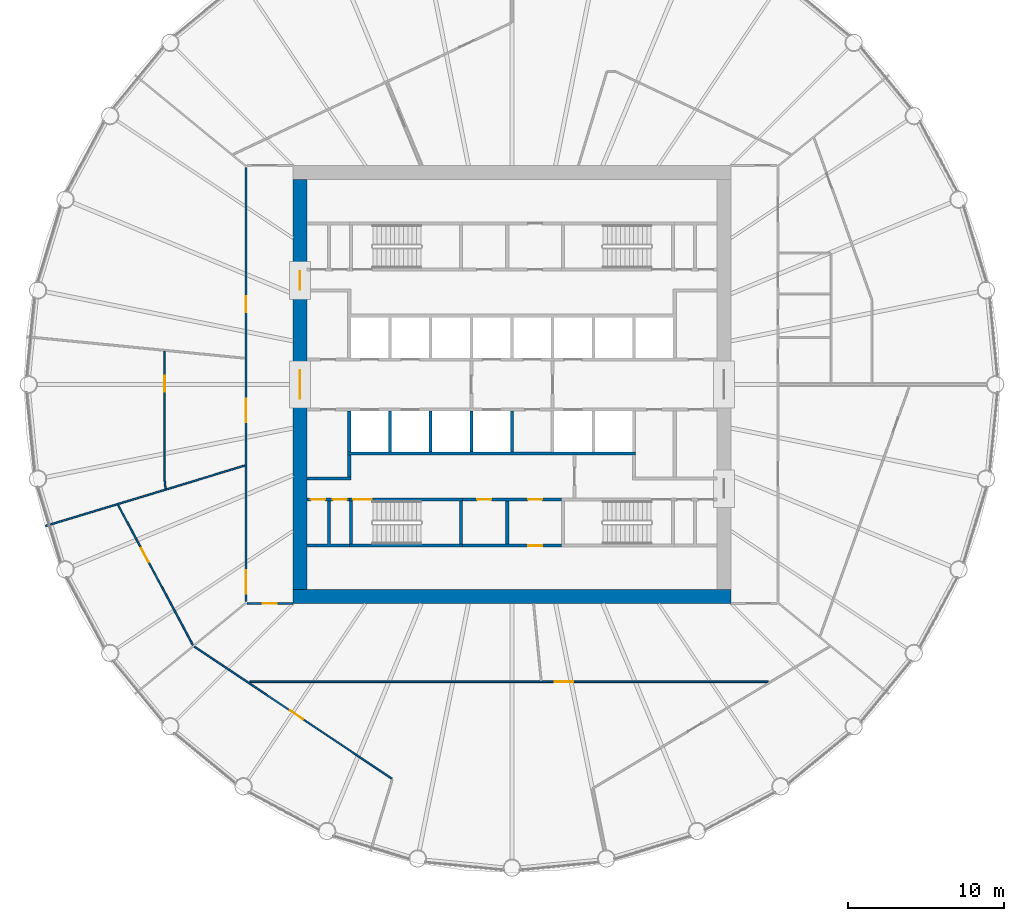
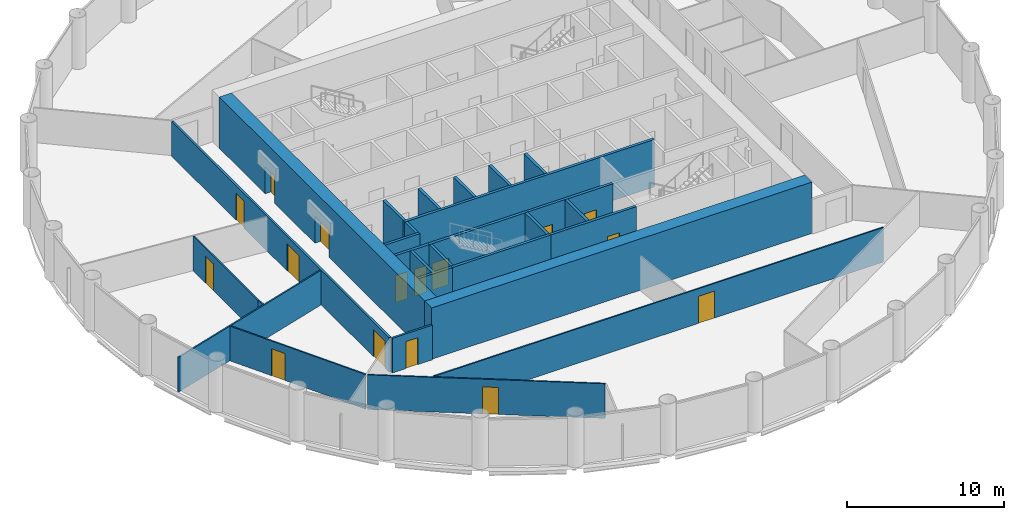
# One storey, part 4 of 8: 27 walls, 16 doors, 16 openings.
"""IFC4 building model written with IfcOpenShell, lengths in metres."""

from ifc_helpers import new_model, si_unit, direction, frame, frame_2d, origin, place, context, subcontext, project, spatial, polyline, rectangle, outline, extrude, material, layer, layer_set, type_object, element, fill, save


model = new_model("IFC4")

# Units and contexts
model_context = context("Model", 3, precision=1e-05, world=origin(), true_north=direction((0.0, 1.0)))
body_context = subcontext(model_context, "Body", "Model", "MODEL_VIEW")
ifc_project = project(units=[si_unit("LENGTHUNIT", "METRE"), si_unit("AREAUNIT", "SQUARE_METRE"), si_unit("VOLUMEUNIT", "CUBIC_METRE"), si_unit("PLANEANGLEUNIT", "RADIAN"), si_unit("MASSUNIT", "GRAM", prefix="KILO")], contexts=[model_context])

# Site, building, storey
site_placement = place(None, origin())
site = spatial("IfcSite", under=ifc_project, at=site_placement, CompositionType="ELEMENT")
building_placement = place(site_placement, origin())
building = spatial("IfcBuilding", under=site, at=building_placement, Name="Corvane Civic Tower", CompositionType="ELEMENT")
storey_placement = place(building_placement, frame((0.0, 0.0, 156.0)))
storey = spatial("IfcBuildingStorey", under=building, at=storey_placement, Name="L36", CompositionType="ELEMENT", Elevation=156.0)

# Wall
ifc_material_1 = material(Name="Concrete C60/75", Category="concrete")
ifc_layer_1 = layer(ifc_material_1, 0.89990234375)
ifc_layer_set_1 = layer_set([ifc_layer_1], Name="Concrete C60/75")
wall_type_1 = type_object("IfcWallType", Name="CORE WALL 900 C60/75", PredefinedType="SHEAR", material=ifc_layer_set_1)
wall_1_placement = place(storey_placement, frame((-14.0, -13.550048828125, 0.0), z_axis=(0.0, 0.0, 1.0), x_axis=(1.0, 0.0, 0.0)))
element("IfcWall", 1, at=wall_1_placement, inside=storey, type_object=wall_type_1, Name="W-L36-core-S", PredefinedType="SHEAR", context=body_context, shape_type="SweptSolid", body=[
    extrude(rectangle(XDim=28.0, YDim=0.89990234375, at=frame_2d((14.0, 0.0))), origin(), (0.0, 0.0, 1.0), 4.0),
])

# Wall, openings, doors
wall_2_placement = place(storey_placement, frame((-13.550048828125, -13.10009765625, 0.0), z_axis=(0.0, 0.0, 1.0), x_axis=(0.0, 1.0, 0.0)))
wall_2 = element("IfcWall", 2, at=wall_2_placement, inside=storey, type_object=wall_type_1, Name="W-L36-core-W", PredefinedType="SHEAR", context=body_context, shape_type="SweptSolid", body=[
    extrude(rectangle(XDim=26.2001953125, YDim=0.89990234375, at=frame_2d((13.10009765625, 0.0))), origin(), (0.0, 0.0, 1.0), 4.0),
])
opening_1_placement = place(wall_2_placement, frame((12.199951171875, 0.0, 0.0)))
opening_1 = element("IfcOpeningElement", 3, at=opening_1_placement, cuts=wall_2, Name="Opening L36.C28", PredefinedType="OPENING", context=body_context, shape_type="SweptSolid", body=[
    extrude(rectangle(XDim=1.800048828125, YDim=2.10009765625, at=frame_2d((0.89990234375, 1.050048828125))), frame((0.0, 0.4599609375, 0.0), z_axis=(0.0, -1.0, 0.0), x_axis=(1.0, 0.0, 0.0)), (0.0, 0.0, 1.0), 0.919921875),
])
opening_2_placement = place(wall_2_placement, frame((19.14990234375, 0.0, 0.0)))
opening_2 = element("IfcOpeningElement", 4, at=opening_2_placement, cuts=wall_2, Name="Opening L36.C30", PredefinedType="OPENING", context=body_context, shape_type="SweptSolid", body=[
    extrude(rectangle(XDim=1.199951171875, YDim=2.10009765625, at=frame_2d((0.60009765625, 1.050048828125))), frame((0.0, 0.4599609375, 0.0), z_axis=(0.0, -1.0, 0.0), x_axis=(1.0, 0.0, 0.0)), (0.0, 0.0, 1.0), 0.919921875),
])
ifc_material_2 = material(Name="Steel fire door leaf", Category="steel")
door_type_1 = type_object("IfcDoorType", Name="CR-DOOR-CORE-1800", OperationType="DOUBLE_DOOR_SINGLE_SWING", PredefinedType="DOOR", material=ifc_material_2)
door_1_placement = place(opening_1_placement, origin())
door_1 = element("IfcDoor", 5, at=door_1_placement, inside=storey, type_object=door_type_1, Name="L36 door", OperationType="DOUBLE_DOOR_SINGLE_SWING", OverallHeight=2.10009765625, OverallWidth=1.800048828125, PredefinedType="DOOR", context=body_context, shape_type="SweptSolid", body=[
    extrude(rectangle(XDim=1.800048828125, YDim=2.10009765625, at=frame_2d((0.89990234375, 1.050048828125))), frame((0.0, 0.02490234375, 0.0), z_axis=(0.0, -1.0, 0.0), x_axis=(1.0, 0.0, 0.0)), (0.0, 0.0, 1.0), 0.050048828125),
])
fill(opening_1, door_1)
door_2_placement = place(opening_2_placement, origin())
door_2 = element("IfcDoor", 6, at=door_2_placement, inside=storey, type_object=door_type_1, Name="L36 door", OperationType="DOUBLE_DOOR_SINGLE_SWING", OverallHeight=2.10009765625, OverallWidth=1.199951171875, PredefinedType="DOOR", context=body_context, shape_type="SweptSolid", body=[
    extrude(rectangle(XDim=1.199951171875, YDim=2.10009765625, at=frame_2d((0.60009765625, 1.050048828125))), frame((0.0, 0.02490234375, 0.0), z_axis=(0.0, -1.0, 0.0), x_axis=(1.0, 0.0, 0.0)), (0.0, 0.0, 1.0), 0.050048828125),
])
fill(opening_2, door_2)

# Wall, opening, door
ifc_material_3 = material(Name="Concrete C30/37", Category="concrete")
ifc_layer_2 = layer(ifc_material_3, 0.199951171875)
ifc_layer_set_2 = layer_set([ifc_layer_2], Name="Concrete C30/37")
wall_type_2 = type_object("IfcWallType", Name="CR-WALL-200", PredefinedType="PARTITIONING", material=ifc_layer_set_2)
wall_3_placement = place(storey_placement, frame((-3.14990234375, -10.300048828125, 0.0), z_axis=(0.0, 0.0, 1.0), x_axis=(1.0, 0.0, 0.0)))
wall_3 = element("IfcWall", 7, at=wall_3_placement, inside=storey, type_object=wall_type_2, Name="L36 partition wall", PredefinedType="PARTITIONING", context=body_context, shape_type="SweptSolid", body=[
    extrude(rectangle(XDim=6.2998046875, YDim=0.199951171875, at=frame_2d((3.14990234375, 0.0))), origin(), (0.0, 0.0, 1.0), 3.699951171875),
])
opening_3_placement = place(wall_3_placement, frame((4.175048828125, 0.0, 0.0)))
opening_3 = element("IfcOpeningElement", 8, at=opening_3_placement, cuts=wall_3, Name="Opening L36.C12", PredefinedType="OPENING", context=body_context, shape_type="SweptSolid", body=[
    extrude(rectangle(XDim=0.89990234375, YDim=2.10009765625, at=frame_2d((0.449951171875, 1.050048828125))), frame((0.0, 0.10986328125, 0.0), z_axis=(0.0, -1.0, 0.0), x_axis=(1.0, 0.0, 0.0)), (0.0, 0.0, 1.0), 0.219970703125),
])
ifc_material_4 = material(Name="Steel fire door leaf", Category="steel")
door_type_2 = type_object("IfcDoorType", Name="CR-DOOR-900", OperationType="SINGLE_SWING_LEFT", PredefinedType="DOOR", material=ifc_material_4)
door_3_placement = place(opening_3_placement, origin())
door_3 = element("IfcDoor", 9, at=door_3_placement, inside=storey, type_object=door_type_2, Name="L36 door", OperationType="SINGLE_SWING_LEFT", OverallHeight=2.10009765625, OverallWidth=0.89990234375, PredefinedType="DOOR", context=body_context, shape_type="SweptSolid", body=[
    extrude(rectangle(XDim=0.89990234375, YDim=2.10009765625, at=frame_2d((0.449951171875, 1.050048828125))), frame((0.0, 0.02490234375, 0.0), z_axis=(0.0, -1.0, 0.0), x_axis=(1.0, 0.0, 0.0)), (0.0, 0.0, 1.0), 0.050048828125),
])
fill(opening_3, door_3)

# Wall, openings, doors
wall_4_placement = place(storey_placement, frame((-13.10009765625, -7.35009765625, 0.0), z_axis=(0.0, 0.0, 1.0), x_axis=(1.0, 0.0, 0.0)))
wall_4 = element("IfcWall", 10, at=wall_4_placement, inside=storey, type_object=wall_type_2, Name="L36 core partition wall", PredefinedType="PARTITIONING", context=body_context, shape_type="SweptSolid", body=[
    extrude(rectangle(XDim=2.7001953125, YDim=0.199951171875, at=frame_2d((1.35009765625, 0.0))), origin(), (0.0, 0.0, 1.0), 3.699951171875),
])
opening_4_placement = place(wall_4_placement, frame((0.25, 0.0, 0.0)))
opening_4 = element("IfcOpeningElement", 11, at=opening_4_placement, cuts=wall_4, Name="Opening L36.C15", PredefinedType="OPENING", context=body_context, shape_type="SweptSolid", body=[
    extrude(rectangle(XDim=0.89990234375, YDim=2.10009765625, at=frame_2d((0.449951171875, 1.050048828125))), frame((0.0, 0.10986328125, 0.0), z_axis=(0.0, -1.0, 0.0), x_axis=(1.0, 0.0, 0.0)), (0.0, 0.0, 1.0), 0.219970703125),
])
opening_5_placement = place(wall_4_placement, frame((1.64990234375, 0.0, 0.0)))
opening_5 = element("IfcOpeningElement", 12, at=opening_5_placement, cuts=wall_4, Name="Opening L36.C16", PredefinedType="OPENING", context=body_context, shape_type="SweptSolid", body=[
    extrude(rectangle(XDim=0.89990234375, YDim=2.10009765625, at=frame_2d((0.449951171875, 1.050048828125))), frame((0.0, 0.10986328125, 0.0), z_axis=(0.0, -1.0, 0.0), x_axis=(1.0, 0.0, 0.0)), (0.0, 0.0, 1.0), 0.219970703125),
])
door_4_placement = place(opening_4_placement, origin())
door_4 = element("IfcDoor", 13, at=door_4_placement, inside=storey, type_object=door_type_2, Name="L36 door", OperationType="SINGLE_SWING_LEFT", OverallHeight=2.10009765625, OverallWidth=0.89990234375, PredefinedType="DOOR", context=body_context, shape_type="SweptSolid", body=[
    extrude(rectangle(XDim=0.89990234375, YDim=2.10009765625, at=frame_2d((0.449951171875, 1.050048828125))), frame((0.0, 0.02490234375, 0.0), z_axis=(0.0, -1.0, 0.0), x_axis=(1.0, 0.0, 0.0)), (0.0, 0.0, 1.0), 0.050048828125),
])
fill(opening_4, door_4)
door_5_placement = place(opening_5_placement, origin())
door_5 = element("IfcDoor", 14, at=door_5_placement, inside=storey, type_object=door_type_2, Name="L36 door", OperationType="SINGLE_SWING_LEFT", OverallHeight=2.10009765625, OverallWidth=0.89990234375, PredefinedType="DOOR", context=body_context, shape_type="SweptSolid", body=[
    extrude(rectangle(XDim=0.89990234375, YDim=2.10009765625, at=frame_2d((0.449951171875, 1.050048828125))), frame((0.0, 0.02490234375, 0.0), z_axis=(0.0, -1.0, 0.0), x_axis=(1.0, 0.0, 0.0)), (0.0, 0.0, 1.0), 0.050048828125),
])
fill(opening_5, door_5)

wall_5_placement = place(storey_placement, frame((-3.14990234375, -7.35009765625, 0.0), z_axis=(0.0, 0.0, 1.0), x_axis=(1.0, 0.0, 0.0)))
wall_5 = element("IfcWall", 15, at=wall_5_placement, inside=storey, type_object=wall_type_2, Name="L36 core partition wall", PredefinedType="PARTITIONING", context=body_context, shape_type="SweptSolid", body=[
    extrude(rectangle(XDim=6.2998046875, YDim=0.199951171875, at=frame_2d((3.14990234375, 0.0))), origin(), (0.0, 0.0, 1.0), 3.699951171875),
])
opening_6_placement = place(wall_5_placement, frame((0.925048828125, 0.0, 0.0)))
opening_6 = element("IfcOpeningElement", 16, at=opening_6_placement, cuts=wall_5, Name="Opening L36.C09", PredefinedType="OPENING", context=body_context, shape_type="SweptSolid", body=[
    extrude(rectangle(XDim=0.89990234375, YDim=2.10009765625, at=frame_2d((0.449951171875, 1.050048828125))), frame((0.0, 0.10986328125, 0.0), z_axis=(0.0, -1.0, 0.0), x_axis=(1.0, 0.0, 0.0)), (0.0, 0.0, 1.0), 0.219970703125),
])
opening_7_placement = place(wall_5_placement, frame((4.175048828125, 0.0, 0.0)))
opening_7 = element("IfcOpeningElement", 17, at=opening_7_placement, cuts=wall_5, Name="Opening L36.C10", PredefinedType="OPENING", context=body_context, shape_type="SweptSolid", body=[
    extrude(rectangle(XDim=0.89990234375, YDim=2.10009765625, at=frame_2d((0.449951171875, 1.050048828125))), frame((0.0, 0.10986328125, 0.0), z_axis=(0.0, -1.0, 0.0), x_axis=(1.0, 0.0, 0.0)), (0.0, 0.0, 1.0), 0.219970703125),
])
door_6_placement = place(opening_6_placement, origin())
door_6 = element("IfcDoor", 18, at=door_6_placement, inside=storey, type_object=door_type_2, Name="L36 door", OperationType="SINGLE_SWING_LEFT", OverallHeight=2.10009765625, OverallWidth=0.89990234375, PredefinedType="DOOR", context=body_context, shape_type="SweptSolid", body=[
    extrude(rectangle(XDim=0.89990234375, YDim=2.10009765625, at=frame_2d((0.449951171875, 1.050048828125))), frame((0.0, 0.02490234375, 0.0), z_axis=(0.0, -1.0, 0.0), x_axis=(1.0, 0.0, 0.0)), (0.0, 0.0, 1.0), 0.050048828125),
])
fill(opening_6, door_6)
door_7_placement = place(opening_7_placement, origin())
door_7 = element("IfcDoor", 19, at=door_7_placement, inside=storey, type_object=door_type_2, Name="L36 door", OperationType="SINGLE_SWING_LEFT", OverallHeight=2.10009765625, OverallWidth=0.89990234375, PredefinedType="DOOR", context=body_context, shape_type="SweptSolid", body=[
    extrude(rectangle(XDim=0.89990234375, YDim=2.10009765625, at=frame_2d((0.449951171875, 1.050048828125))), frame((0.0, 0.02490234375, 0.0), z_axis=(0.0, -1.0, 0.0), x_axis=(1.0, 0.0, 0.0)), (0.0, 0.0, 1.0), 0.050048828125),
])
fill(opening_7, door_7)

# Walls
wall_6_placement = place(storey_placement, origin())
element("IfcWall", 20, at=wall_6_placement, inside=storey, type_object=wall_type_2, Name="L36 core partition wall", PredefinedType="PARTITIONING", context=body_context, shape_type="SweptSolid", body=[
    extrude(outline(polyline([(7.89990234375, -4.300048828125), (7.89990234375, -4.5), (-10.5, -4.5), (-10.5, -4.300048828125), (7.89990234375, -4.300048828125)])), origin(), (0.0, 0.0, 1.0), 3.699951171875),
])
wall_7_placement = place(storey_placement, origin())
element("IfcWall", 21, at=wall_7_placement, inside=storey, type_object=wall_type_2, Name="L36 core partition wall", PredefinedType="PARTITIONING", context=body_context, shape_type="SweptSolid", body=[
    extrude(outline(polyline([(-10.300048828125, -6.10009765625), (-13.10009765625, -6.10009765625), (-13.10009765625, -5.89990234375), (-10.300048828125, -5.89990234375), (-10.300048828125, -6.10009765625)])), origin(), (0.0, 0.0, 1.0), 3.699951171875),
])
wall_8_placement = place(storey_placement, origin())
element("IfcWall", 22, at=wall_8_placement, inside=storey, type_object=wall_type_2, Name="L36 core partition wall", PredefinedType="PARTITIONING", context=body_context, shape_type="SweptSolid", body=[
    extrude(outline(polyline([(-2.5, -1.699951171875), (-2.5, -4.2998046875), (-2.699951171875, -4.2998046875), (-2.699951171875, -1.699951171875), (-2.5, -1.699951171875)])), origin(), (0.0, 0.0, 1.0), 3.699951171875),
])
wall_9_placement = place(storey_placement, origin())
element("IfcWall", 23, at=wall_9_placement, inside=storey, type_object=wall_type_2, Name="L36 core partition wall", PredefinedType="PARTITIONING", context=body_context, shape_type="SweptSolid", body=[
    extrude(outline(polyline([(0.10009765625, -1.699951171875), (0.10009765625, -4.2998046875), (-0.10009765625, -4.2998046875), (-0.10009765625, -1.699951171875), (0.10009765625, -1.699951171875)])), origin(), (0.0, 0.0, 1.0), 3.699951171875),
])
wall_10_placement = place(storey_placement, origin())
element("IfcWall", 24, at=wall_10_placement, inside=storey, type_object=wall_type_2, Name="L36 core partition wall", PredefinedType="PARTITIONING", context=body_context, shape_type="SweptSolid", body=[
    extrude(outline(polyline([(-10.300048828125, -1.699951171875), (-10.300048828125, -4.2998046875), (-10.5, -4.2998046875), (-10.5, -1.699951171875), (-10.300048828125, -1.699951171875)])), origin(), (0.0, 0.0, 1.0), 3.699951171875),
])
wall_11_placement = place(storey_placement, origin())
element("IfcWall", 25, at=wall_11_placement, inside=storey, type_object=wall_type_2, Name="L36 core partition wall", PredefinedType="PARTITIONING", context=body_context, shape_type="SweptSolid", body=[
    extrude(outline(polyline([(-7.699951171875, -1.699951171875), (-7.699951171875, -4.2998046875), (-7.89990234375, -4.2998046875), (-7.89990234375, -1.699951171875), (-7.699951171875, -1.699951171875)])), origin(), (0.0, 0.0, 1.0), 3.699951171875),
])
wall_12_placement = place(storey_placement, origin())
element("IfcWall", 26, at=wall_12_placement, inside=storey, type_object=wall_type_2, Name="L36 core partition wall", PredefinedType="PARTITIONING", context=body_context, shape_type="SweptSolid", body=[
    extrude(outline(polyline([(-5.10009765625, -1.699951171875), (-5.10009765625, -4.2998046875), (-5.300048828125, -4.2998046875), (-5.300048828125, -1.699951171875), (-5.10009765625, -1.699951171875)])), origin(), (0.0, 0.0, 1.0), 3.699951171875),
])
wall_13_placement = place(storey_placement, origin())
element("IfcWall", 27, at=wall_13_placement, inside=storey, type_object=wall_type_2, Name="L36 core partition wall", PredefinedType="PARTITIONING", context=body_context, shape_type="SweptSolid", body=[
    extrude(outline(polyline([(-10.300048828125, -5.89990234375), (-10.5, -5.89990234375), (-10.5, -4.5), (-10.300048828125, -4.5), (-10.300048828125, -5.89990234375)])), origin(), (0.0, 0.0, 1.0), 3.699951171875),
])
wall_14_placement = place(storey_placement, origin())
element("IfcWall", 28, at=wall_14_placement, inside=storey, type_object=wall_type_2, Name="L36 core partition wall", PredefinedType="PARTITIONING", context=body_context, shape_type="SweptSolid", body=[
    extrude(outline(polyline([(-11.800048828125, -7.449951171875), (-11.60009765625, -7.449951171875), (-11.60009765625, -10.199951171875), (-10.39990234375, -10.199951171875), (-10.39990234375, -10.39990234375), (-13.10009765625, -10.39990234375), (-13.10009765625, -10.199951171875), (-11.800048828125, -10.199951171875), (-11.800048828125, -7.449951171875)])), origin(), (0.0, 0.0, 1.0), 3.699951171875),
])
wall_15_placement = place(storey_placement, origin())
element("IfcWall", 29, at=wall_15_placement, inside=storey, type_object=wall_type_2, Name="L36 core partition wall", PredefinedType="PARTITIONING", context=body_context, shape_type="SweptSolid", body=[
    extrude(outline(polyline([(-0.199951171875, -10.199951171875), (-0.39990234375, -10.199951171875), (-0.39990234375, -7.449951171875), (-0.199951171875, -7.449951171875), (-0.199951171875, -10.199951171875)])), origin(), (0.0, 0.0, 1.0), 3.699951171875),
])

# Wall, opening, door
ifc_material_5 = material(Name="Plasterboard")
ifc_layer_3 = layer(ifc_material_5, 0.10009765625)
ifc_layer_set_3 = layer_set([ifc_layer_3], Name="Plasterboard")
wall_type_3 = type_object("IfcWallType", Name="Partition 100 plasterboard on studs", PredefinedType="PARTITIONING", material=ifc_layer_set_3)
wall_16_placement = place(storey_placement, frame((-20.308349609375, -16.750244140625, 0.0), z_axis=(0.0, 0.0, 1.0), x_axis=(0.831468762021, -0.555571505553, 0.0)))
wall_16 = element("IfcWall", 30, at=wall_16_placement, inside=storey, type_object=wall_type_3, Name="Partition L36.004", PredefinedType="PARTITIONING", context=body_context, shape_type="SweptSolid", body=[
    extrude(rectangle(XDim=15.190185546875, YDim=0.10009765625, at=frame_2d((7.59521484375, 0.0))), origin(), (0.0, 0.0, 1.0), 2.699951171875),
])
opening_8_placement = place(wall_16_placement, frame((7.35693359375, 0.0, 0.0)))
opening_8 = element("IfcOpeningElement", 31, at=opening_8_placement, cuts=wall_16, Name="Opening L36.006", PredefinedType="OPENING", context=body_context, shape_type="SweptSolid", body=[
    extrude(rectangle(XDim=1.0, YDim=2.10009765625, at=frame_2d((0.5, 1.050048828125))), frame((0.0, 0.06005859375, 0.0), z_axis=(0.0, -1.0, 0.0), x_axis=(1.0, 0.0, 0.0)), (0.0, 0.0, 1.0), 0.1201171875),
])
ifc_material_6 = material(Name="Timber", Category="wood")
door_type_3 = type_object("IfcDoorType", Name="Single door 1000", OperationType="NOTDEFINED", PredefinedType="DOOR", material=ifc_material_6)
door_8_placement = place(opening_8_placement, frame((1.0, 0.0, 0.0), z_axis=(0.0, 0.0, 1.0), x_axis=(-1.0, 0.0, 0.0)))
door_8 = element("IfcDoor", 32, at=door_8_placement, inside=storey, type_object=door_type_3, Name="Door L36.006", OperationType="SINGLE_SWING_LEFT", OverallHeight=2.10009765625, OverallWidth=1.0, PredefinedType="DOOR", context=body_context, shape_type="SweptSolid", body=[
    extrude(rectangle(XDim=1.0, YDim=2.10009765625, at=frame_2d((0.5, 1.050048828125))), frame((0.0, 0.02490234375, 0.0), z_axis=(0.0, -1.0, 0.0), x_axis=(1.0, 0.0, 0.0)), (0.0, 0.0, 1.0), 0.050048828125),
])
fill(opening_8, door_8)

wall_17_placement = place(storey_placement, frame((-16.776611328125, -19.0, 0.0), z_axis=(0.0, 0.0, 1.0), x_axis=(1.0, 0.0, 0.0)))
wall_17 = element("IfcWall", 33, at=wall_17_placement, inside=storey, type_object=wall_type_3, Name="Partition L36.007", PredefinedType="PARTITIONING", context=body_context, shape_type="SweptSolid", body=[
    extrude(rectangle(XDim=33.144287109375, YDim=0.10009765625, at=frame_2d((16.572265625, 0.0))), origin(), (0.0, 0.0, 1.0), 2.699951171875),
])
opening_9_placement = place(wall_17_placement, frame((19.50146484375, 0.0, 0.0)))
opening_9 = element("IfcOpeningElement", 34, at=opening_9_placement, cuts=wall_17, Name="Opening L36.007", PredefinedType="OPENING", context=body_context, shape_type="SweptSolid", body=[
    extrude(rectangle(XDim=1.199951171875, YDim=2.10009765625, at=frame_2d((0.60009765625, 1.050048828125))), frame((0.0, 0.06005859375, 0.0), z_axis=(0.0, -1.0, 0.0), x_axis=(1.0, 0.0, 0.0)), (0.0, 0.0, 1.0), 0.1201171875),
])
ifc_material_7 = material(Name="Timber", Category="wood")
door_type_4 = type_object("IfcDoorType", Name="Double door 1200", OperationType="NOTDEFINED", PredefinedType="DOOR", material=ifc_material_7)
door_9_placement = place(opening_9_placement, frame((1.199951171875, 0.0, 0.0), z_axis=(0.0, 0.0, 1.0), x_axis=(-1.0, 0.0, 0.0)))
door_9 = element("IfcDoor", 35, at=door_9_placement, inside=storey, type_object=door_type_4, Name="Door L36.007", OperationType="DOUBLE_DOOR_SINGLE_SWING", OverallHeight=2.10009765625, OverallWidth=1.199951171875, PredefinedType="DOOR", context=body_context, shape_type="SweptSolid", body=[
    extrude(rectangle(XDim=1.199951171875, YDim=2.10009765625, at=frame_2d((0.60009765625, 1.050048828125))), frame((0.0, 0.02490234375, 0.0), z_axis=(0.0, -1.0, 0.0), x_axis=(1.0, 0.0, 0.0)), (0.0, 0.0, 1.0), 0.050048828125),
])
fill(opening_9, door_9)

wall_18_placement = place(storey_placement, frame((-25.181396484375, -7.701171875, 0.0), z_axis=(0.0, 0.0, 1.0), x_axis=(0.471401446327, -0.881918747052, 0.0)))
wall_18 = element("IfcWall", 36, at=wall_18_placement, inside=storey, type_object=wall_type_3, Name="Partition L36.009", PredefinedType="PARTITIONING", context=body_context, shape_type="SweptSolid", body=[
    extrude(rectangle(XDim=10.1572265625, YDim=0.10009765625, at=frame_2d((5.07861328125, 0.0))), origin(), (0.0, 0.0, 1.0), 2.699951171875),
])
opening_10_placement = place(wall_18_placement, frame((3.129150390625, 0.0, 0.0)))
opening_10 = element("IfcOpeningElement", 37, at=opening_10_placement, cuts=wall_18, Name="Opening L36.017", PredefinedType="OPENING", context=body_context, shape_type="SweptSolid", body=[
    extrude(rectangle(XDim=1.0, YDim=2.10009765625, at=frame_2d((0.5, 1.050048828125))), frame((0.0, 0.06005859375, 0.0), z_axis=(0.0, -1.0, 0.0), x_axis=(1.0, 0.0, 0.0)), (0.0, 0.0, 1.0), 0.1201171875),
])
door_10_placement = place(opening_10_placement, frame((1.0, 0.0, 0.0), z_axis=(0.0, 0.0, 1.0), x_axis=(-1.0, 0.0, 0.0)))
door_10 = element("IfcDoor", 38, at=door_10_placement, inside=storey, type_object=door_type_3, Name="Door L36.017", OperationType="SINGLE_SWING_RIGHT", OverallHeight=2.10009765625, OverallWidth=1.0, PredefinedType="DOOR", context=body_context, shape_type="SweptSolid", body=[
    extrude(rectangle(XDim=1.0, YDim=2.10009765625, at=frame_2d((0.5, 1.050048828125))), frame((0.0, 0.02490234375, 0.0), z_axis=(0.0, -1.0, 0.0), x_axis=(1.0, 0.0, 0.0)), (0.0, 0.0, 1.0), 0.050048828125),
])
fill(opening_10, door_10)

# Walls
wall_19_placement = place(storey_placement, frame((-29.808837890625, -9.04248046875, 0.0), z_axis=(0.0, 0.0, 1.0), x_axis=(0.956939088308, 0.290288789428, 0.0)))
element("IfcWall", 39, at=wall_19_placement, inside=storey, type_object=wall_type_3, Name="Partition L36.015", PredefinedType="PARTITIONING", context=body_context, shape_type="SweptSolid", body=[
    extrude(rectangle(XDim=13.29150390625, YDim=0.10009765625, at=frame_2d((6.645751953125, 0.0))), origin(), (0.0, 0.0, 1.0), 2.699951171875),
])
wall_20_placement = place(storey_placement, frame((-22.2001953125, -6.147705078125, 0.0), z_axis=(0.0, 0.0, 1.0), x_axis=(0.097849520581, -0.995201221524, 0.0)))
element("IfcWall", 40, at=wall_20_placement, inside=storey, type_object=wall_type_3, Name="Partition L36.016", PredefinedType="PARTITIONING", context=body_context, shape_type="SweptSolid", body=[
    extrude(rectangle(XDim=0.511474609375, YDim=0.10009765625, at=frame_2d((0.255859375, 0.0))), origin(), (0.0, 0.0, 1.0), 2.699951171875),
])

# Wall, opening, door
wall_21_placement = place(storey_placement, frame((-22.199951171875, -6.147705078125, 0.0), z_axis=(0.0, 0.0, 1.0), x_axis=(0.0, 1.0, 0.0)))
wall_21 = element("IfcWall", 41, at=wall_21_placement, inside=storey, type_object=wall_type_3, Name="Partition L36.017", PredefinedType="PARTITIONING", context=body_context, shape_type="SweptSolid", body=[
    extrude(rectangle(XDim=8.279052734375, YDim=0.10009765625, at=frame_2d((4.1396484375, 0.0))), origin(), (0.0, 0.0, 1.0), 2.699951171875),
])
opening_11_placement = place(wall_21_placement, frame((5.69677734375, 0.0, 0.0)))
opening_11 = element("IfcOpeningElement", 42, at=opening_11_placement, cuts=wall_21, Name="Opening L36.019", PredefinedType="OPENING", context=body_context, shape_type="SweptSolid", body=[
    extrude(rectangle(XDim=1.0, YDim=2.10009765625, at=frame_2d((0.5, 1.050048828125))), frame((0.0, 0.06005859375, 0.0), z_axis=(0.0, -1.0, 0.0), x_axis=(1.0, 0.0, 0.0)), (0.0, 0.0, 1.0), 0.1201171875),
])
door_11_placement = place(opening_11_placement, origin())
door_11 = element("IfcDoor", 43, at=door_11_placement, inside=storey, type_object=door_type_3, Name="Door L36.019", OperationType="SINGLE_SWING_LEFT", OverallHeight=2.10009765625, OverallWidth=1.0, PredefinedType="DOOR", context=body_context, shape_type="SweptSolid", body=[
    extrude(rectangle(XDim=1.0, YDim=2.10009765625, at=frame_2d((0.5, 1.050048828125))), frame((0.0, 0.02490234375, 0.0), z_axis=(0.0, -1.0, 0.0), x_axis=(1.0, 0.0, 0.0)), (0.0, 0.0, 1.0), 0.050048828125),
])
fill(opening_11, door_11)

ifc_material_8 = material(Name="Concrete C50/60", Category="concrete")
ifc_layer_4 = layer(ifc_material_8, 0.199951171875)
ifc_layer_set_4 = layer_set([ifc_layer_4], Name="Concrete C50/60")
wall_type_4 = type_object("IfcWallType", Name="ST-WALL-200", PredefinedType="SHEAR", material=ifc_layer_set_4)
wall_22_placement = place(storey_placement, frame((-10.39990234375, -7.35009765625, 0.0), z_axis=(0.0, 0.0, 1.0), x_axis=(1.0, 0.0, 0.0)))
wall_22 = element("IfcWall", 44, at=wall_22_placement, inside=storey, type_object=wall_type_4, Name="L36 stair enclosure wall", PredefinedType="SHEAR", context=body_context, shape_type="SweptSolid", body=[
    extrude(rectangle(XDim=7.25, YDim=0.199951171875, at=frame_2d((3.625, 0.0))), origin(), (0.0, 0.0, 1.0), 3.699951171875),
])
opening_12_placement = place(wall_22_placement, frame((0.25, 0.0, 0.0)))
opening_12 = element("IfcOpeningElement", 45, at=opening_12_placement, cuts=wall_22, Name="Opening L36.C24", PredefinedType="OPENING", context=body_context, shape_type="SweptSolid", body=[
    extrude(rectangle(XDim=1.199951171875, YDim=2.10009765625, at=frame_2d((0.60009765625, 1.050048828125))), frame((0.0, 0.10986328125, 0.0), z_axis=(0.0, -1.0, 0.0), x_axis=(1.0, 0.0, 0.0)), (0.0, 0.0, 1.0), 0.219970703125),
])
ifc_material_9 = material(Name="Steel fire door leaf", Category="steel")
door_type_5 = type_object("IfcDoorType", Name="ST-DOOR-1200", OperationType="SINGLE_SWING_RIGHT", PredefinedType="DOOR", material=ifc_material_9)
door_12_placement = place(opening_12_placement, origin())
door_12 = element("IfcDoor", 46, at=door_12_placement, inside=storey, type_object=door_type_5, Name="L36 stair door", OperationType="SINGLE_SWING_RIGHT", OverallHeight=2.10009765625, OverallWidth=1.199951171875, PredefinedType="DOOR", context=body_context, shape_type="SweptSolid", body=[
    extrude(rectangle(XDim=1.199951171875, YDim=2.10009765625, at=frame_2d((0.60009765625, 1.050048828125))), frame((0.0, 0.02490234375, 0.0), z_axis=(0.0, -1.0, 0.0), x_axis=(1.0, 0.0, 0.0)), (0.0, 0.0, 1.0), 0.050048828125),
])
fill(opening_12, door_12)

# Walls
wall_23_placement = place(storey_placement, origin())
element("IfcWall", 47, at=wall_23_placement, inside=storey, type_object=wall_type_4, Name="L36 stair enclosure wall", PredefinedType="SHEAR", context=body_context, shape_type="SweptSolid", body=[
    extrude(outline(polyline([(-3.14990234375, -10.199951171875), (-3.14990234375, -10.39990234375), (-10.39990234375, -10.39990234375), (-10.39990234375, -10.199951171875), (-3.14990234375, -10.199951171875)])), origin(), (0.0, 0.0, 1.0), 3.699951171875),
])
wall_24_placement = place(storey_placement, origin())
element("IfcWall", 48, at=wall_24_placement, inside=storey, type_object=wall_type_4, Name="L36 stair enclosure wall", PredefinedType="SHEAR", context=body_context, shape_type="SweptSolid", body=[
    extrude(outline(polyline([(-3.14990234375, -7.449951171875), (-3.14990234375, -10.199951171875), (-3.35009765625, -10.199951171875), (-3.35009765625, -7.449951171875), (-3.14990234375, -7.449951171875)])), origin(), (0.0, 0.0, 1.0), 3.699951171875),
])
wall_25_placement = place(storey_placement, origin())
element("IfcWall", 49, at=wall_25_placement, inside=storey, type_object=wall_type_4, Name="L36 stair enclosure wall", PredefinedType="SHEAR", context=body_context, shape_type="SweptSolid", body=[
    extrude(outline(polyline([(-10.199951171875, -7.449951171875), (-10.199951171875, -10.199951171875), (-10.39990234375, -10.199951171875), (-10.39990234375, -7.449951171875), (-10.199951171875, -7.449951171875)])), origin(), (0.0, 0.0, 1.0), 3.699951171875),
])

# Wall, opening, door
ifc_material_10 = material(Name="Plasterboard")
ifc_layer_5 = layer(ifc_material_10, 0.14990234375)
ifc_layer_set_5 = layer_set([ifc_layer_5], Name="Plasterboard")
wall_type_5 = type_object("IfcWallType", Name="Tenancy wall 150 EI 60", PredefinedType="PARTITIONING", material=ifc_layer_set_5)
wall_26_placement = place(storey_placement, frame((-16.925048828125, -14.0, 0.0), z_axis=(0.0, 0.0, 1.0), x_axis=(1.0, 0.0, 0.0)))
wall_26 = element("IfcWall", 50, at=wall_26_placement, inside=storey, type_object=wall_type_5, Name="Partition L36.011", PredefinedType="PARTITIONING", context=body_context, shape_type="SweptSolid", body=[
    extrude(rectangle(XDim=2.93505859375, YDim=0.14990234375, at=frame_2d((1.467529296875, 0.0))), origin(), (0.0, 0.0, 1.0), 2.699951171875),
])
opening_13_placement = place(wall_26_placement, frame((0.9765625, 0.0, 0.0)))
opening_13 = element("IfcOpeningElement", 51, at=opening_13_placement, cuts=wall_26, Name="Opening L36.009", PredefinedType="OPENING", context=body_context, shape_type="SweptSolid", body=[
    extrude(rectangle(XDim=0.89990234375, YDim=2.10009765625, at=frame_2d((0.449951171875, 1.050048828125))), frame((0.0, 0.0849609375, 0.0), z_axis=(0.0, -1.0, 0.0), x_axis=(1.0, 0.0, 0.0)), (0.0, 0.0, 1.0), 0.169921875),
])
ifc_material_11 = material(Name="Steel and timber", Category="steel")
door_type_6 = type_object("IfcDoorType", Name="Fire door FD30S 900", OperationType="NOTDEFINED", PredefinedType="DOOR", material=ifc_material_11)
door_13_placement = place(opening_13_placement, frame((0.89990234375, 0.0, 0.0), z_axis=(0.0, 0.0, 1.0), x_axis=(-1.0, 0.0, 0.0)))
door_13 = element("IfcDoor", 52, at=door_13_placement, inside=storey, type_object=door_type_6, Name="Door L36.009", OperationType="SINGLE_SWING_LEFT", OverallHeight=2.10009765625, OverallWidth=0.89990234375, PredefinedType="DOOR", context=body_context, shape_type="SweptSolid", body=[
    extrude(rectangle(XDim=0.89990234375, YDim=2.10009765625, at=frame_2d((0.449951171875, 1.050048828125))), frame((0.0, 0.02490234375, 0.0), z_axis=(0.0, -1.0, 0.0), x_axis=(1.0, 0.0, 0.0)), (0.0, 0.0, 1.0), 0.050048828125),
])
fill(opening_13, door_13)

# Wall, openings, doors
wall_27_placement = place(storey_placement, frame((-17.0, -13.87646484375, 0.0), z_axis=(0.0, 0.0, 1.0), x_axis=(0.0, 1.0, 0.0)))
wall_27 = element("IfcWall", 53, at=wall_27_placement, inside=storey, type_object=wall_type_5, Name="Partition L36.013", PredefinedType="PARTITIONING", context=body_context, shape_type="SweptSolid", body=[
    extrude(rectangle(XDim=27.7529296875, YDim=0.14990234375, at=frame_2d((13.87646484375, 0.0))), origin(), (0.0, 0.0, 1.0), 2.699951171875),
])
opening_14_placement = place(wall_27_placement, frame((0.4970703125, 0.0, 0.0)))
opening_14 = element("IfcOpeningElement", 54, at=opening_14_placement, cuts=wall_27, Name="Opening L36.018", PredefinedType="OPENING", context=body_context, shape_type="SweptSolid", body=[
    extrude(rectangle(XDim=1.5, YDim=2.10009765625, at=frame_2d((0.75, 1.050048828125))), frame((0.0, 0.0849609375, 0.0), z_axis=(0.0, -1.0, 0.0), x_axis=(1.0, 0.0, 0.0)), (0.0, 0.0, 1.0), 0.169921875),
])
opening_15_placement = place(wall_27_placement, frame((11.47998046875, 0.0, 0.0)))
opening_15 = element("IfcOpeningElement", 55, at=opening_15_placement, cuts=wall_27, Name="Opening L36.020", PredefinedType="OPENING", context=body_context, shape_type="SweptSolid", body=[
    extrude(rectangle(XDim=1.5, YDim=2.10009765625, at=frame_2d((0.75, 1.050048828125))), frame((0.0, 0.0849609375, 0.0), z_axis=(0.0, -1.0, 0.0), x_axis=(1.0, 0.0, 0.0)), (0.0, 0.0, 1.0), 0.169921875),
])
opening_16_placement = place(wall_27_placement, frame((18.505126953125, 0.0, 0.0)))
opening_16 = element("IfcOpeningElement", 56, at=opening_16_placement, cuts=wall_27, Name="Opening L36.021", PredefinedType="OPENING", context=body_context, shape_type="SweptSolid", body=[
    extrude(rectangle(XDim=1.0, YDim=2.10009765625, at=frame_2d((0.5, 1.050048828125))), frame((0.0, 0.0849609375, 0.0), z_axis=(0.0, -1.0, 0.0), x_axis=(1.0, 0.0, 0.0)), (0.0, 0.0, 1.0), 0.169921875),
])
ifc_material_12 = material(Name="Steel and timber", Category="steel")
door_type_7 = type_object("IfcDoorType", Name="Fire door FD30S 1000", OperationType="NOTDEFINED", PredefinedType="DOOR", material=ifc_material_12)
door_14_placement = place(opening_16_placement, origin())
door_14 = element("IfcDoor", 57, at=door_14_placement, inside=storey, type_object=door_type_7, Name="Door L36.021", OperationType="SINGLE_SWING_LEFT", OverallHeight=2.10009765625, OverallWidth=1.0, PredefinedType="DOOR", context=body_context, shape_type="SweptSolid", body=[
    extrude(rectangle(XDim=1.0, YDim=2.10009765625, at=frame_2d((0.5, 1.050048828125))), frame((0.0, 0.02490234375, 0.0), z_axis=(0.0, -1.0, 0.0), x_axis=(1.0, 0.0, 0.0)), (0.0, 0.0, 1.0), 0.050048828125),
])
fill(opening_16, door_14)
ifc_material_13 = material(Name="Steel and timber", Category="steel")
door_type_8 = type_object("IfcDoorType", Name="Fire door FD60 double 1500", OperationType="NOTDEFINED", PredefinedType="DOOR", material=ifc_material_13)
door_15_placement = place(opening_14_placement, origin())
door_15 = element("IfcDoor", 58, at=door_15_placement, inside=storey, type_object=door_type_8, Name="Door L36.018", OperationType="DOUBLE_DOOR_SINGLE_SWING", OverallHeight=2.10009765625, OverallWidth=1.5, PredefinedType="DOOR", context=body_context, shape_type="SweptSolid", body=[
    extrude(rectangle(XDim=1.5, YDim=2.10009765625, at=frame_2d((0.75, 1.050048828125))), frame((0.0, 0.02490234375, 0.0), z_axis=(0.0, -1.0, 0.0), x_axis=(1.0, 0.0, 0.0)), (0.0, 0.0, 1.0), 0.050048828125),
])
fill(opening_14, door_15)
door_16_placement = place(opening_15_placement, origin())
door_16 = element("IfcDoor", 59, at=door_16_placement, inside=storey, type_object=door_type_8, Name="Door L36.020", OperationType="DOUBLE_DOOR_SINGLE_SWING", OverallHeight=2.10009765625, OverallWidth=1.5, PredefinedType="DOOR", context=body_context, shape_type="SweptSolid", body=[
    extrude(rectangle(XDim=1.5, YDim=2.10009765625, at=frame_2d((0.75, 1.050048828125))), frame((0.0, 0.02490234375, 0.0), z_axis=(0.0, -1.0, 0.0), x_axis=(1.0, 0.0, 0.0)), (0.0, 0.0, 1.0), 0.050048828125),
])
fill(opening_15, door_16)

save(model, "model.ifc")
